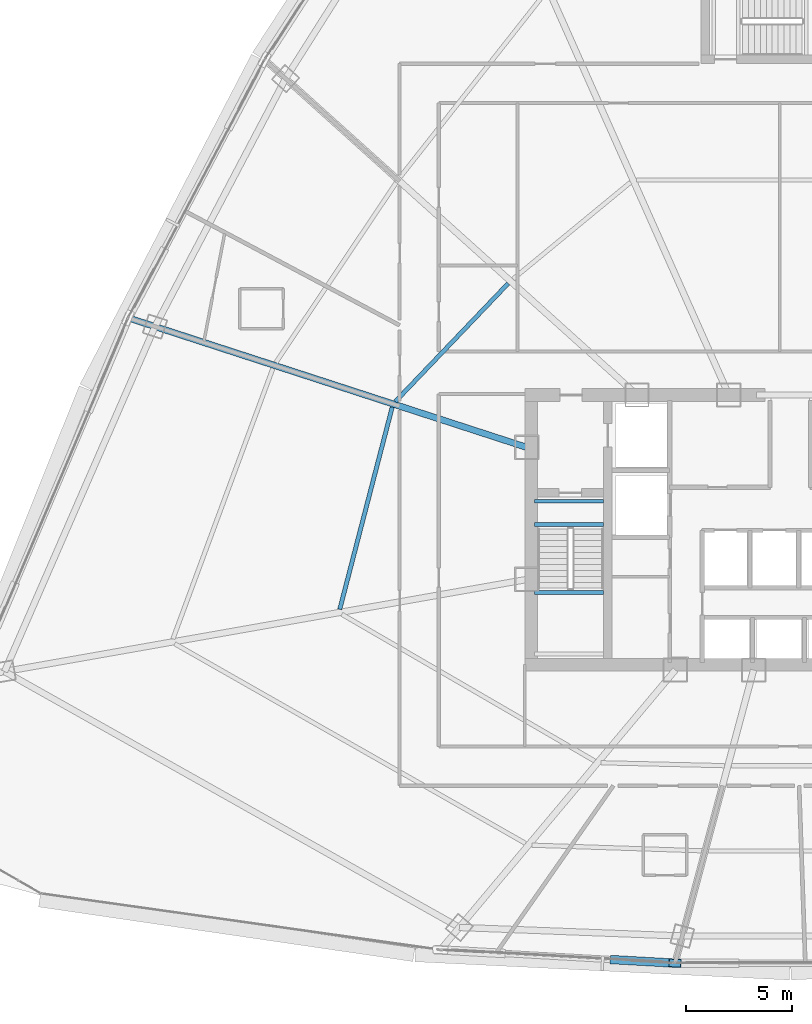
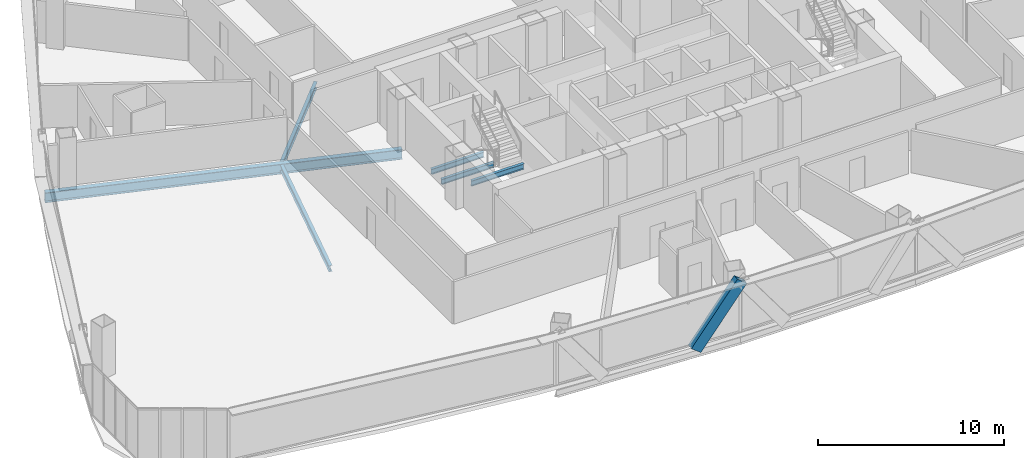
# One storey, part 9 of 41: 6 beams, 1 member.
"""IFC4 building model written with IfcOpenShell, lengths in metres."""

import ifcopenshell
import ifcopenshell.guid

model = None  # the IFC model being written
_history = None  # IfcOwnerHistory: only IFC2X3 demands one
_inside = {}  # id of a spatial element -> (the spatial element, [elements in it])
_under = {}  # id of a project, library or spatial element -> (it, [spatial elements below it])
_declared = {}  # id of a project -> (the project, [libraries it declares])
_typed = {}  # id of a type object -> (the type object, [elements of that type])
_made_of = {}  # id of a material, layer set ... -> (it, [elements and type objects made of it])


def new_model(schema):
    """Start an empty IFC model of exactly this schema.

    Asked for "IFC4X3", IfcOpenShell would pick the latest addendum, in which some entities
    have other attributes; the version numbers below select the first issue.
    IFC2X3 requires an IfcOwnerHistory on every rooted entity: one is made here for all.
    """
    global model, _history
    if schema == "IFC4X3":
        model = ifcopenshell.file(schema_version=(4, 3, 0, 0))
    else:
        model = ifcopenshell.file(schema=schema)
    _inside.clear()
    _under.clear()
    _declared.clear()
    _typed.clear()
    _made_of.clear()
    _history = None
    if model.schema == "IFC2X3":
        org = make("IfcOrganization", Name="unknown")
        user = make(
            "IfcPersonAndOrganization",
            ThePerson=make("IfcPerson", FamilyName="unknown"),
            TheOrganization=org,
        )
        app = make(
            "IfcApplication",
            ApplicationDeveloper=org,
            Version="unknown",
            ApplicationFullName="unknown",
            ApplicationIdentifier="unknown",
        )
        _history = make(
            "IfcOwnerHistory",
            OwningUser=user,
            OwningApplication=app,
            ChangeAction="ADDED",
            CreationDate=0,
        )
    return model


def make(cls, **values):
    """One entity of the class cls with the attributes given. An attribute that is None is left unset."""
    return model.create_entity(
        cls, **{name: value for name, value in values.items() if value is not None}
    )


def rooted(cls, **values):
    """An entity with a GlobalId (a new one), such as an element, a storey or a relation."""
    return make(cls, GlobalId=ifcopenshell.guid.new(), OwnerHistory=_history, **values)


def si_unit(unit_type, name, prefix=None):
    """IfcSIUnit, for example si_unit("LENGTHUNIT", "METRE", prefix="MILLI")."""
    return make("IfcSIUnit", UnitType=unit_type, Prefix=prefix, Name=name)


def assignment(units):
    """IfcUnitAssignment: the units of a project."""
    return None if units is None else make("IfcUnitAssignment", Units=units)


def point(xyz):
    """IfcCartesianPoint."""
    return None if xyz is None else make("IfcCartesianPoint", Coordinates=xyz)


def direction(xyz):
    """IfcDirection."""
    return None if xyz is None else make("IfcDirection", DirectionRatios=xyz)


def frame(location, z_axis=None, x_axis=None):
    """IfcAxis2Placement3D, a coordinate frame: its origin and axes. An axis left out is left unset."""
    return make(
        "IfcAxis2Placement3D",
        Location=point(location),
        Axis=direction(z_axis),
        RefDirection=direction(x_axis),
    )


def frame_2d(location, x_axis=None):
    """IfcAxis2Placement2D, a coordinate frame in the plane: its origin and x axis."""
    return make(
        "IfcAxis2Placement2D", Location=point(location), RefDirection=direction(x_axis)
    )


def origin():
    """The frame at (0, 0, 0) with its axes left unset."""
    return frame((0.0, 0.0, 0.0))


def origin_2d():
    """The frame at (0, 0) in the plane with its x axis left unset."""
    return frame_2d((0.0, 0.0))


def place(relative_to, where):
    """IfcLocalPlacement: puts the frame where relative to a parent placement (None: the world)."""
    return make(
        "IfcLocalPlacement", PlacementRelTo=relative_to, RelativePlacement=where
    )


def context(
    kind, dimensions, precision=None, world=None, true_north=None, identifier=None
):
    """IfcGeometricRepresentationContext, for example the 3D "Model" context."""
    return make(
        "IfcGeometricRepresentationContext",
        ContextIdentifier=identifier,
        ContextType=kind,
        CoordinateSpaceDimension=dimensions,
        Precision=precision,
        WorldCoordinateSystem=world,
        TrueNorth=true_north,
    )


def subcontext(parent, identifier, kind, view, scale=None):
    """IfcGeometricRepresentationSubContext, for example "Body" below "Model"."""
    return make(
        "IfcGeometricRepresentationSubContext",
        ContextIdentifier=identifier,
        ContextType=kind,
        ParentContext=parent,
        TargetScale=scale,
        TargetView=view,
    )


def project(units=None, contexts=None):
    """IfcProject with its units and contexts."""
    return rooted(
        "IfcProject",
        Name="project",
        RepresentationContexts=contexts,
        UnitsInContext=assignment(units),
    )


def spatial(cls, under=None, at=None, **own):
    """A site, building, storey or space (cls), placed at a placement, below another one or the project."""
    s = rooted(cls, ObjectPlacement=at, **own)
    if under is not None:
        _under.setdefault(under.id(), (under, []))[1].append(s)
    return s


def profile(cls, at=None, kind="AREA", **sizes):
    """A parametric profile (cls). Its sizes go by their IFC names, for example OverallWidth=200.0."""
    return make(cls, ProfileType=kind, Position=at, **sizes)


def hollow_rectangle(**sizes):
    """IfcRectangleHollowProfileDef."""
    return profile("IfcRectangleHollowProfileDef", **sizes)


def i_section(**sizes):
    """IfcIShapeProfileDef."""
    return profile("IfcIShapeProfileDef", **sizes)


def extrude(swept, where, along, depth):
    """IfcExtrudedAreaSolid: the profile swept, set in the frame where, extruded along a direction by depth."""
    return make(
        "IfcExtrudedAreaSolid",
        SweptArea=swept,
        Position=where,
        ExtrudedDirection=direction(along),
        Depth=depth,
    )


def shape(context_of_items, identifier, shape_type, items):
    """IfcShapeRepresentation: the items that make up one representation, for example the "Body"."""
    return make(
        "IfcShapeRepresentation",
        ContextOfItems=context_of_items,
        RepresentationIdentifier=identifier,
        RepresentationType=shape_type,
        Items=items,
    )


def source(mapping_origin, context_of_items, identifier, shape_type, items):
    """IfcRepresentationMap: a shape defined once, which mapped items show again and again."""
    return make(
        "IfcRepresentationMap",
        MappingOrigin=mapping_origin,
        MappedRepresentation=shape(context_of_items, identifier, shape_type, items),
    )


def transform(
    local_origin,
    x_axis=None,
    y_axis=None,
    z_axis=None,
    scale=None,
    scale2=None,
    scale3=None,
    uniform=True,
):
    """IfcCartesianTransformationOperator3D, or its non-uniform kind. x_axis, y_axis, z_axis: its Axis1, 2, 3."""
    if uniform:
        return make(
            "IfcCartesianTransformationOperator3D",
            Axis1=direction(x_axis),
            Axis2=direction(y_axis),
            LocalOrigin=point(local_origin),
            Scale=scale,
            Axis3=direction(z_axis),
        )
    return make(
        "IfcCartesianTransformationOperator3DnonUniform",
        Axis1=direction(x_axis),
        Axis2=direction(y_axis),
        LocalOrigin=point(local_origin),
        Scale=scale,
        Axis3=direction(z_axis),
        Scale2=scale2,
        Scale3=scale3,
    )


def mapped(mapping_source, mapping_target):
    """IfcMappedItem: shows the shape of a source again, moved by a transform."""
    return make(
        "IfcMappedItem", MappingSource=mapping_source, MappingTarget=mapping_target
    )


def material(Name=None, Category=None):
    """IfcMaterial."""
    return make("IfcMaterial", Name=Name, Category=Category)


def material_profile(
    of_material, cross_section, Name=None, Category=None, Priority=None
):
    """IfcMaterialProfile: a cross section and its material."""
    return make(
        "IfcMaterialProfile",
        Name=Name,
        Material=of_material,
        Profile=cross_section,
        Priority=Priority,
        Category=Category,
    )


def profile_set(profiles, Name=None, composite=None):
    """IfcMaterialProfileSet."""
    return make(
        "IfcMaterialProfileSet",
        Name=Name,
        MaterialProfiles=profiles,
        CompositeProfile=composite,
    )


def made_of(thing, what):
    """Note that an element or type object is made of a material, layer set ...; save() writes the relation."""
    if what is not None:
        _made_of.setdefault(what.id(), (what, []))[1].append(thing)
    return thing


def type_object(cls, material=None, **own):
    """A type object (cls), such as IfcWallType, which elements share."""
    return made_of(rooted(cls, **own), material)


def element(
    cls,
    number,
    at=None,
    inside=None,
    cuts=None,
    type_object=None,
    material=None,
    context=None,
    identifier="Body",
    shape_type=None,
    held_by="IfcProductDefinitionShape",
    body=None,
    shapes=None,
    **own,
):
    """One element of the class cls, such as IfcWall. Its Tag is "e" and its number.

    at: its placement. inside: the storey or other place that contains it. cuts: it is an
    opening in that element (IfcRelVoidsElement). A single representation is given by context,
    identifier, shape_type and body (its items); several are given by shapes. held_by: the class
    of the entity that holds the representations. save() writes the other relations.
    """
    e = rooted(cls, Tag="e%d" % number, ObjectPlacement=at, **own)
    if body is not None:
        shapes = [shape(context, identifier, shape_type, body)]
    if shapes is not None:
        e.Representation = make(held_by, Representations=shapes)
    if inside is not None:
        _inside.setdefault(inside.id(), (inside, []))[1].append(e)
    if cuts is not None:
        rooted(
            "IfcRelVoidsElement", RelatingBuildingElement=cuts, RelatedOpeningElement=e
        )
    if type_object is not None:
        _typed.setdefault(type_object.id(), (type_object, []))[1].append(e)
    return made_of(e, material)


def aggregate(whole, parts):
    """IfcRelAggregates: a whole, such as a stair, and the parts it consists of."""
    return rooted("IfcRelAggregates", RelatingObject=whole, RelatedObjects=parts)


def save(model, path):
    """Write the relations noted so far, then the file.

    IfcRelAggregates (storeys below a building ...), IfcRelContainedInSpatialStructure (elements
    in a storey), IfcRelDefinesByType, IfcRelAssociatesMaterial and IfcRelDeclares: one each for
    every whole, place, type object, material and project.
    """
    for whole, parts in _under.values():
        aggregate(whole, parts)
    for where, things in _inside.values():
        rooted(
            "IfcRelContainedInSpatialStructure",
            RelatedElements=things,
            RelatingStructure=where,
        )
    for kind, things in _typed.values():
        rooted("IfcRelDefinesByType", RelatedObjects=things, RelatingType=kind)
    for what, things in _made_of.values():
        rooted("IfcRelAssociatesMaterial", RelatedObjects=things, RelatingMaterial=what)
    for by, libraries in _declared.values():
        rooted("IfcRelDeclares", RelatingContext=by, RelatedDefinitions=libraries)
    model.write(path)


model = new_model("IFC4")

# Units and contexts
model_context = context("Model", 3, precision=1e-05, world=origin(), true_north=direction((0.0, 1.0)))
body_context = subcontext(model_context, "Body", "Model", "MODEL_VIEW")
ifc_project = project(units=[si_unit("LENGTHUNIT", "METRE"), si_unit("AREAUNIT", "SQUARE_METRE"), si_unit("VOLUMEUNIT", "CUBIC_METRE"), si_unit("PLANEANGLEUNIT", "RADIAN"), si_unit("MASSUNIT", "GRAM", prefix="KILO"), si_unit("THERMODYNAMICTEMPERATUREUNIT", "KELVIN"), si_unit("POWERUNIT", "WATT")], contexts=[model_context])

# Site, building, storey
site_placement = place(None, origin())
site = spatial("IfcSite", under=ifc_project, at=site_placement, CompositionType="ELEMENT")
building_placement = place(site_placement, origin())
building = spatial("IfcBuilding", under=site, at=building_placement, Name="Yunzhuo Pagoda Commons", CompositionType="ELEMENT")
storey_placement = place(building_placement, frame((0.0, 0.0, 155.590087890625)))
storey = spatial("IfcBuildingStorey", under=building, at=storey_placement, Name="L39", CompositionType="ELEMENT", Elevation=155.590087890625)

# Beams
ifc_material = material(Name="Structural steel Q355B", Category="steel")
ifc_material_profile_1 = material_profile(ifc_material, i_section(OverallWidth=0.175048828125, OverallDepth=0.35009765625, WebThickness=0.007080078125, FlangeThickness=0.010986328125, at=origin_2d()), Name="Structural steel Q355B")
ifc_profile_set_1 = profile_set([ifc_material_profile_1], Name="Structural steel Q355B")
beam_type_1 = type_object("IfcBeamType", Name="B-JS2 Joist HN 350x175x7x11", PredefinedType="JOIST", material=ifc_profile_set_1)
shared_shape_1 = source(origin(), body_context, "Body", "SweptSolid", [
    extrude(i_section(OverallWidth=0.175048828125, OverallDepth=0.35009765625, WebThickness=0.007080078125, FlangeThickness=0.010986328125, at=origin_2d()), origin(), (0.0, 0.0, 1.0), 3.25),
])
for number, where, z_axis, x_axis, name in (
    (1, (35.949951171875, 30.89990234375, 1.46484375), (1.0, 0.0, 0.0), (0.0, 1.0, 0.0), "L39 ST1 landing support beam 45B"),
    (2, (35.949951171875, 34.10009765625, -0.375), (1.0, 0.0, 0.0), (0.0, 1.0, 0.0), "L39 ST1 landing support beam 143A"),
    (3, (35.949951171875, 35.199951171875, -0.375), (1.0, 0.0, 0.0), (0.0, 1.0, 0.0), "L39 ST1 landing support beam 143B"),
):
    element("IfcBeam", number, at=place(storey_placement, frame(where, z_axis=z_axis, x_axis=x_axis)), inside=storey, type_object=beam_type_1, Name=name, PredefinedType="JOIST", context=body_context, shape_type="MappedRepresentation", body=[
        mapped(shared_shape_1, transform((0.0, 0.0, 0.0), scale=1.0)),
    ])
ifc_material_profile_2 = material_profile(ifc_material, i_section(OverallWidth=0.199951171875, OverallDepth=0.39990234375, WebThickness=0.008056640625, FlangeThickness=0.012939453125, at=origin_2d()), Name="Structural steel Q355B")
ifc_profile_set_2 = profile_set([ifc_material_profile_2], Name="Structural steel Q355B")
beam_type_2 = type_object("IfcBeamType", Name="B-JS1 Joist HN 400x200x8x13", PredefinedType="JOIST", material=ifc_profile_set_2)
shared_shape_2 = source(origin(), body_context, "Body", "SweptSolid", [
    extrude(i_section(OverallWidth=0.199951171875, OverallDepth=0.39990234375, WebThickness=0.008056640625, FlangeThickness=0.012939453125, at=origin_2d()), origin(), (0.0, 0.0, 1.0), 9.8330078125),
])
beam_1_placement = place(storey_placement, frame((29.254638671875, 39.623779296875, -0.460205078125), z_axis=(-0.251166367041, -0.967943932295, 0.0), x_axis=(0.967943932295, -0.251166367041, 0.0)))
element("IfcBeam", 4, at=beam_1_placement, inside=storey, type_object=beam_type_2, Name="L39 composite ring joist 1.11", PredefinedType="JOIST", context=body_context, shape_type="MappedRepresentation", body=[
    mapped(shared_shape_2, transform((0.0, 0.0, 0.0), scale=1.0)),
])
shared_shape_3 = source(origin(), body_context, "Body", "SweptSolid", [
    extrude(i_section(OverallWidth=0.199951171875, OverallDepth=0.39990234375, WebThickness=0.008056640625, FlangeThickness=0.012939453125, at=origin_2d()), origin(), (0.0, 0.0, 1.0), 7.685546875),
])
beam_2_placement = place(storey_placement, frame((34.714111328125, 45.448974609375, -0.460205078125), z_axis=(-0.690882862648, -0.722966714378, 0.0), x_axis=(0.722966714378, -0.690882862648, 0.0)))
element("IfcBeam", 5, at=beam_2_placement, inside=storey, type_object=beam_type_2, Name="L39 composite ring joist 1.10", PredefinedType="JOIST", context=body_context, shape_type="MappedRepresentation", body=[
    mapped(shared_shape_3, transform((0.0, 0.0, 0.0), scale=1.0)),
])
ifc_material_profile_3 = material_profile(ifc_material, i_section(OverallWidth=0.300048828125, OverallDepth=0.64990234375, WebThickness=0.012939453125, FlangeThickness=0.02197265625, at=origin_2d()), Name="Structural steel Q355B")
ifc_profile_set_3 = profile_set([ifc_material_profile_3], Name="Structural steel Q355B")
beam_type_3 = type_object("IfcBeamType", Name="B-RG2 Beam HN 650x300x13x22", PredefinedType="BEAM", material=ifc_profile_set_3)
shared_shape_4 = source(origin(), body_context, "Body", "SweptSolid", [
    extrude(i_section(OverallWidth=0.300048828125, OverallDepth=0.64990234375, WebThickness=0.012939453125, FlangeThickness=0.02197265625, at=origin_2d()), origin(), (0.0, 0.0, 1.0), 19.594482421875),
])
beam_3_placement = place(storey_placement, frame((16.964599609375, 43.7841796875, -0.585205078125), z_axis=(0.951054485202, -0.309023245365, 0.0), x_axis=(0.309023245365, 0.951054485202, 0.0)))
element("IfcBeam", 6, at=beam_3_placement, inside=storey, type_object=beam_type_3, Name="L39 radial floor girder F3C3", PredefinedType="BEAM", context=body_context, shape_type="MappedRepresentation", body=[
    mapped(shared_shape_4, transform((0.0, 0.0, 0.0), scale=1.0)),
])

# Member
ifc_material_profile_4 = material_profile(ifc_material, hollow_rectangle(XDim=0.39990234375, YDim=0.719970703125, WallThickness=0.02392578125, at=origin_2d()), Name="Structural steel Q355B")
ifc_profile_set_4 = profile_set([ifc_material_profile_4], Name="Structural steel Q355B")
member_type = type_object("IfcMemberType", Name="M-DL2 Brace BOX 720x400x24", PredefinedType="BRACE", material=ifc_profile_set_4)
shared_shape_5 = source(origin(), body_context, "Body", "SweptSolid", [
    extrude(hollow_rectangle(XDim=0.39990234375, YDim=0.719970703125, WallThickness=0.02392578125, at=origin_2d()), origin(), (0.0, 0.0, 1.0), 4.603515625),
])
member_placement = place(storey_placement, frame((39.81103515625, 13.60009765625, -0.260009765625), z_axis=(0.59986640331, -0.03394169376, 0.799379921942), x_axis=(0.056491730434, 0.998403067099, 0.0)))
element("IfcMember", 7, at=member_placement, inside=storey, type_object=member_type, Name="L39 facade diamond brace F1.1R", PredefinedType="BRACE", context=body_context, shape_type="MappedRepresentation", body=[
    mapped(shared_shape_5, transform((0.0, 0.0, 0.0), scale=1.0)),
])

save(model, "model.ifc")
